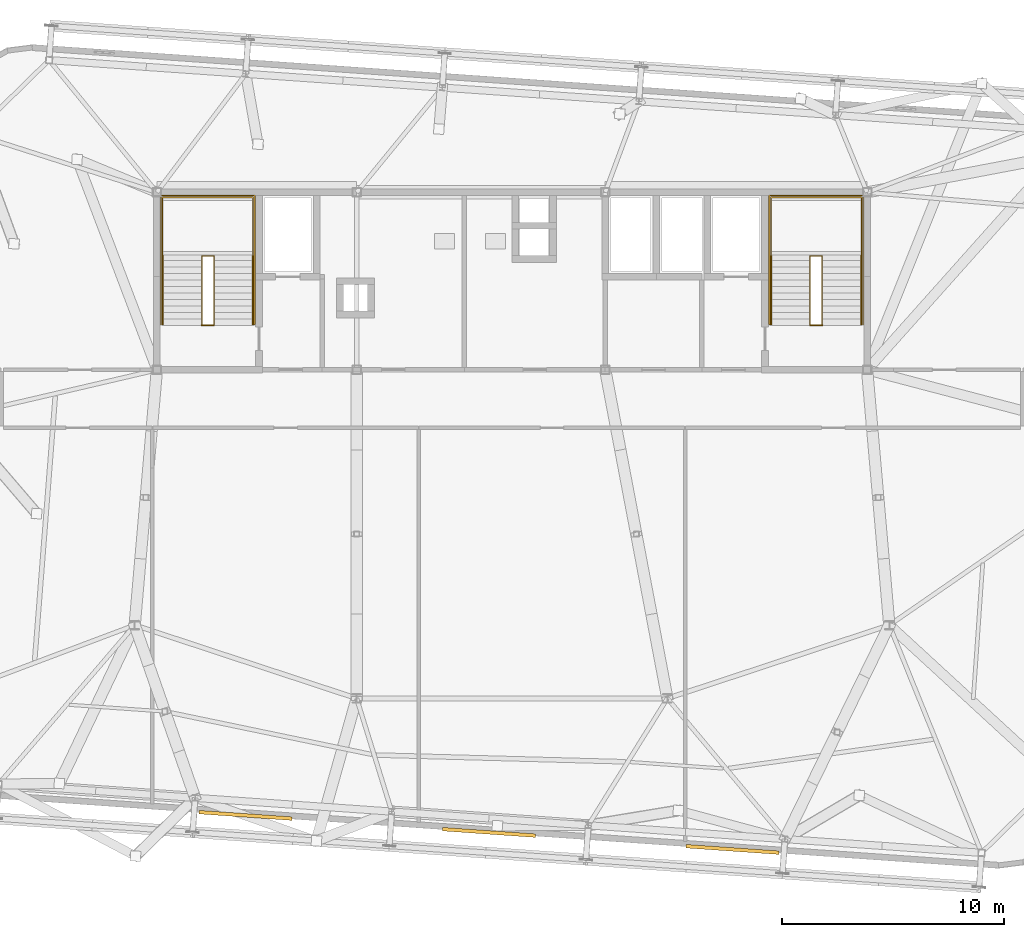
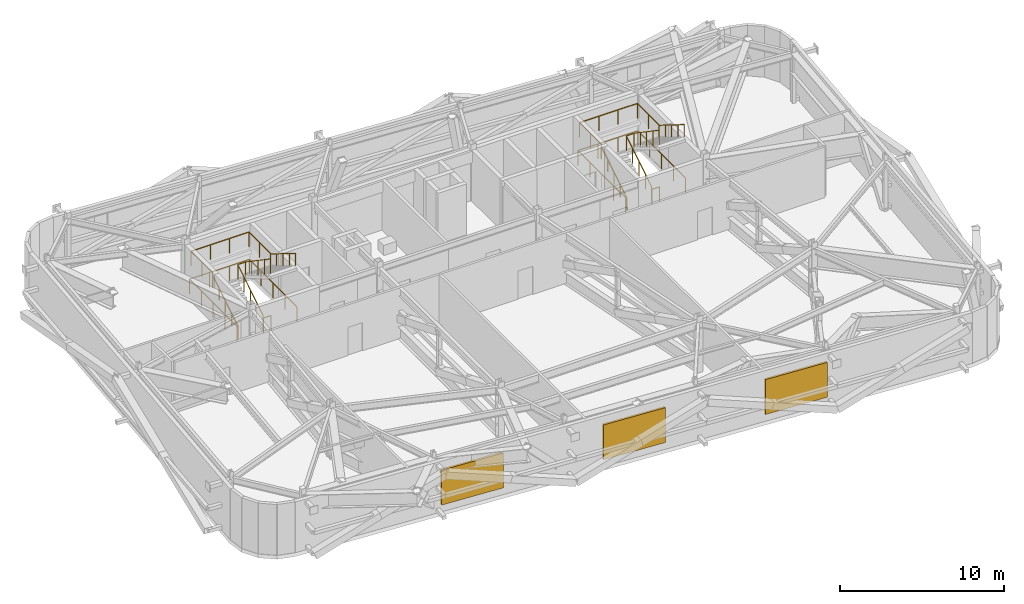
# One storey, part 24 of 24: 12 railings, 3 shading devices.
"""IFC4 building model written with IfcOpenShell, lengths in metres."""

from ifc_helpers import new_model, si_unit, direction, frame, origin, origin_2d, place, context, subcontext, project, spatial, rectangle, extrude, source, transform, mapped, material, layer, layer_set, type_object, element, save


model = new_model("IFC4")

# Units and contexts
model_context = context("Model", 3, precision=1e-05, world=origin(), true_north=direction((0.0, 1.0)))
body_context = subcontext(model_context, "Body", "Model", "MODEL_VIEW")
ifc_project = project(units=[si_unit("LENGTHUNIT", "METRE"), si_unit("AREAUNIT", "SQUARE_METRE"), si_unit("VOLUMEUNIT", "CUBIC_METRE"), si_unit("PLANEANGLEUNIT", "RADIAN"), si_unit("MASSUNIT", "GRAM", prefix="KILO")], contexts=[model_context])

# Site, building, storey
site_placement = place(None, origin())
site = spatial("IfcSite", under=ifc_project, at=site_placement, CompositionType="ELEMENT")
building_placement = place(site_placement, origin())
building = spatial("IfcBuilding", under=site, at=building_placement, Name="Taldren Reach Tower", CompositionType="ELEMENT")
storey_placement = place(building_placement, frame((0.0, 0.0, 164.5)))
storey = spatial("IfcBuildingStorey", under=building, at=storey_placement, Name="L50", CompositionType="ELEMENT", Elevation=164.5)

# Railings
ifc_material_1 = material(Name="Steel Gr 350 (C350L0)", Category="steel")
ifc_layer_1 = layer(ifc_material_1, 0.050048828125)
ifc_layer_set_1 = layer_set([ifc_layer_1], Name="Steel Gr 350 (C350L0)")
railing_type_1 = type_object("IfcRailingType", Name="RL-STAIR-GR", PredefinedType="GUARDRAIL", material=ifc_layer_set_1)
railing_1_placement = place(storey_placement, frame((19.260009765625, 29.135009765625, 2.10009765625)))
element("IfcRailing", 1, at=railing_1_placement, inside=storey, type_object=railing_type_1, Name="Stair half-landing perimeter guard ST1-L50", PredefinedType="GUARDRAIL", context=body_context, shape_type="SweptSolid", body=[
    extrude(rectangle(XDim=0.047852, YDim=0.047852, at=origin_2d()), frame((0.0, 0.0, 1.09619140625), z_axis=(0.0, 1.0, 0.0), x_axis=(-1.0, 0.0, 0.0)), (0.0, 0.0, 1.0), 2.64501953125),
    extrude(rectangle(XDim=0.047852, YDim=0.047852, at=origin_2d()), frame((0.0, 2.64501953125, 1.09619140625), z_axis=(1.0, 0.0, 0.0), x_axis=(0.0, 1.0, 0.0)), (0.0, 0.0, 1.0), 4.080078125),
    extrude(rectangle(XDim=0.047852, YDim=0.047852, at=origin_2d()), frame((4.080078125, 2.64501953125, 1.09619140625), z_axis=(0.0, -1.0, 0.0), x_axis=(1.0, 0.0, 0.0)), (0.0, 0.0, 1.0), 2.64501953125),
    extrude(rectangle(XDim=0.041992, YDim=0.041992, at=origin_2d()), origin(), (0.0, 0.0, 1.0), 1.072021484375),
    extrude(rectangle(XDim=0.041992, YDim=0.041992, at=origin_2d()), frame((0.0, 1.322509765625, 0.0)), (0.0, 0.0, 1.0), 1.072021484375),
    extrude(rectangle(XDim=0.041992, YDim=0.041992, at=origin_2d()), frame((0.0, 2.64501953125, 0.0)), (0.0, 0.0, 1.0), 1.072021484375),
    extrude(rectangle(XDim=0.041992, YDim=0.041992, at=origin_2d()), frame((1.360107421875, 2.64501953125, 0.0)), (0.0, 0.0, 1.0), 1.072021484375),
    extrude(rectangle(XDim=0.041992, YDim=0.041992, at=origin_2d()), frame((2.719970703125, 2.64501953125, 0.0)), (0.0, 0.0, 1.0), 1.072021484375),
    extrude(rectangle(XDim=0.041992, YDim=0.041992, at=origin_2d()), frame((4.080078125, 2.64501953125, 0.0)), (0.0, 0.0, 1.0), 1.072021484375),
    extrude(rectangle(XDim=0.041992, YDim=0.041992, at=origin_2d()), frame((4.080078125, 1.322509765625, 0.0)), (0.0, 0.0, 1.0), 1.072021484375),
    extrude(rectangle(XDim=0.041992, YDim=0.041992, at=origin_2d()), frame((4.080078125, 0.0, 0.0)), (0.0, 0.0, 1.0), 1.072021484375),
])
railing_2_placement = place(storey_placement, frame((21.030029296875, 26.050048828125, 0.175048828125)))
element("IfcRailing", 2, at=railing_2_placement, inside=storey, type_object=railing_type_1, Name="Stairwell inner guard ST1-L50", PredefinedType="GUARDRAIL", context=body_context, shape_type="SweptSolid", body=[
    extrude(rectangle(XDim=0.047852, YDim=0.047852, at=origin_2d()), frame((0.0, 0.0, 1.09619140625), z_axis=(0.0, 0.848375277705, 0.529395304266), x_axis=(-1.0, 0.0, 0.0)), (0.0, 0.0, 1.0), 3.63623046875),
    extrude(rectangle(XDim=0.047852, YDim=0.047852, at=origin_2d()), frame((0.0, 3.0849609375, 3.02099609375), z_axis=(1.0, 0.0, 0.0), x_axis=(0.0, 1.0, 0.0)), (0.0, 0.0, 1.0), 0.5400390625),
    extrude(rectangle(XDim=0.047852, YDim=0.047852, at=origin_2d()), frame((0.5400390625, 3.0849609375, 3.02099609375), z_axis=(0.0, -0.826667233066, 0.562691110446), x_axis=(1.0, 0.0, 0.0)), (0.0, 0.0, 1.0), 3.731689453125),
    extrude(rectangle(XDim=0.041992, YDim=0.041992, at=origin_2d()), origin(), (0.0, 0.0, 1.0), 1.072021484375),
    extrude(rectangle(XDim=0.041992, YDim=0.041992, at=origin_2d()), frame((0.0, 0.771240234375, 0.481201171875)), (0.0, 0.0, 1.0), 1.072021484375),
    extrude(rectangle(XDim=0.041992, YDim=0.041992, at=origin_2d()), frame((0.0, 1.54248046875, 0.96240234375)), (0.0, 0.0, 1.0), 1.072021484375),
    extrude(rectangle(XDim=0.041992, YDim=0.041992, at=origin_2d()), frame((0.0, 2.313720703125, 1.44384765625)), (0.0, 0.0, 1.0), 1.072021484375),
    extrude(rectangle(XDim=0.041992, YDim=0.041992, at=origin_2d()), frame((0.0, 3.0849609375, 1.925048828125)), (0.0, 0.0, 1.0), 1.072021484375),
    extrude(rectangle(XDim=0.041992, YDim=0.041992, at=origin_2d()), frame((0.5400390625, 3.0849609375, 1.925048828125)), (0.0, 0.0, 1.0), 1.072021484375),
    extrude(rectangle(XDim=0.041992, YDim=0.041992, at=origin_2d()), frame((0.5400390625, 2.313720703125, 2.449951171875)), (0.0, 0.0, 1.0), 1.072021484375),
    extrude(rectangle(XDim=0.041992, YDim=0.041992, at=origin_2d()), frame((0.5400390625, 1.54248046875, 2.97509765625)), (0.0, 0.0, 1.0), 1.072021484375),
    extrude(rectangle(XDim=0.041992, YDim=0.041992, at=origin_2d()), frame((0.5400390625, 0.771240234375, 3.5)), (0.0, 0.0, 1.0), 1.072021484375),
    extrude(rectangle(XDim=0.041992, YDim=0.041992, at=origin_2d()), frame((0.5400390625, 0.0, 4.02490234375)), (0.0, 0.0, 1.0), 1.072021484375),
])
railing_3_placement = place(storey_placement, frame((21.030029296875, 26.010009765625, 0.0)))
element("IfcRailing", 3, at=railing_3_placement, inside=storey, type_object=railing_type_1, Name="Stairwell landing slot guard ST1-L50", PredefinedType="GUARDRAIL", context=body_context, shape_type="SweptSolid", body=[
    extrude(rectangle(XDim=0.047852, YDim=0.047852, at=origin_2d()), frame((0.0, 0.0, 1.09619140625), z_axis=(1.0, 0.0, 0.0), x_axis=(0.0, 1.0, 0.0)), (0.0, 0.0, 1.0), 0.5400390625),
    extrude(rectangle(XDim=0.041992, YDim=0.041992, at=origin_2d()), origin(), (0.0, 0.0, 1.0), 1.072021484375),
    extrude(rectangle(XDim=0.041992, YDim=0.041992, at=origin_2d()), frame((0.5400390625, 0.0, 0.0)), (0.0, 0.0, 1.0), 1.072021484375),
])
railing_4_placement = place(storey_placement, frame((19.18994140625, 26.050048828125, 0.0)))
element("IfcRailing", 4, at=railing_4_placement, inside=storey, type_object=railing_type_1, Name="Stairwell floor opening guard ST1-L50", PredefinedType="GUARDRAIL", context=body_context, shape_type="SweptSolid", body=[
    extrude(rectangle(XDim=0.047852, YDim=0.047852, at=origin_2d()), frame((0.0, 0.0, 1.09619140625), z_axis=(0.0, 1.0, 0.0), x_axis=(-1.0, 0.0, 0.0)), (0.0, 0.0, 1.0), 5.800048828125),
    extrude(rectangle(XDim=0.047852, YDim=0.047852, at=origin_2d()), frame((0.0, 5.800048828125, 1.09619140625), z_axis=(1.0, 0.0, 0.0), x_axis=(0.0, 1.0, 0.0)), (0.0, 0.0, 1.0), 4.219970703125),
    extrude(rectangle(XDim=0.047852, YDim=0.047852, at=origin_2d()), frame((4.219970703125, 5.800048828125, 1.09619140625), z_axis=(0.0, -1.0, 0.0), x_axis=(1.0, 0.0, 0.0)), (0.0, 0.0, 1.0), 5.800048828125),
    extrude(rectangle(XDim=0.041992, YDim=0.041992, at=origin_2d()), origin(), (0.0, 0.0, 1.0), 1.072021484375),
    extrude(rectangle(XDim=0.041992, YDim=0.041992, at=origin_2d()), frame((0.0, 1.449951171875, 0.0)), (0.0, 0.0, 1.0), 1.072021484375),
    extrude(rectangle(XDim=0.041992, YDim=0.041992, at=origin_2d()), frame((0.0, 2.89990234375, 0.0)), (0.0, 0.0, 1.0), 1.072021484375),
    extrude(rectangle(XDim=0.041992, YDim=0.041992, at=origin_2d()), frame((0.0, 4.35009765625, 0.0)), (0.0, 0.0, 1.0), 1.072021484375),
    extrude(rectangle(XDim=0.041992, YDim=0.041992, at=origin_2d()), frame((0.0, 5.800048828125, 0.0)), (0.0, 0.0, 1.0), 1.072021484375),
    extrude(rectangle(XDim=0.041992, YDim=0.041992, at=origin_2d()), frame((1.40673828125, 5.800048828125, 0.0)), (0.0, 0.0, 1.0), 1.072021484375),
    extrude(rectangle(XDim=0.041992, YDim=0.041992, at=origin_2d()), frame((2.813232421875, 5.800048828125, 0.0)), (0.0, 0.0, 1.0), 1.072021484375),
    extrude(rectangle(XDim=0.041992, YDim=0.041992, at=origin_2d()), frame((4.219970703125, 5.800048828125, 0.0)), (0.0, 0.0, 1.0), 1.072021484375),
    extrude(rectangle(XDim=0.041992, YDim=0.041992, at=origin_2d()), frame((4.219970703125, 4.35009765625, 0.0)), (0.0, 0.0, 1.0), 1.072021484375),
    extrude(rectangle(XDim=0.041992, YDim=0.041992, at=origin_2d()), frame((4.219970703125, 2.89990234375, 0.0)), (0.0, 0.0, 1.0), 1.072021484375),
    extrude(rectangle(XDim=0.041992, YDim=0.041992, at=origin_2d()), frame((4.219970703125, 1.449951171875, 0.0)), (0.0, 0.0, 1.0), 1.072021484375),
    extrude(rectangle(XDim=0.041992, YDim=0.041992, at=origin_2d()), frame((4.219970703125, 0.0, 0.0)), (0.0, 0.0, 1.0), 1.072021484375),
])
railing_5_placement = place(storey_placement, frame((46.659912109375, 29.135009765625, 2.10009765625)))
element("IfcRailing", 5, at=railing_5_placement, inside=storey, type_object=railing_type_1, Name="Stair half-landing perimeter guard ST2-L50", PredefinedType="GUARDRAIL", context=body_context, shape_type="SweptSolid", body=[
    extrude(rectangle(XDim=0.047852, YDim=0.047852, at=origin_2d()), frame((0.0, 0.0, 1.09619140625), z_axis=(0.0, 1.0, 0.0), x_axis=(-1.0, 0.0, 0.0)), (0.0, 0.0, 1.0), 2.64501953125),
    extrude(rectangle(XDim=0.047852, YDim=0.047852, at=origin_2d()), frame((0.0, 2.64501953125, 1.09619140625), z_axis=(1.0, 0.0, 0.0), x_axis=(0.0, 1.0, 0.0)), (0.0, 0.0, 1.0), 4.080078125),
    extrude(rectangle(XDim=0.047852, YDim=0.047852, at=origin_2d()), frame((4.080078125, 2.64501953125, 1.09619140625), z_axis=(0.0, -1.0, 0.0), x_axis=(1.0, 0.0, 0.0)), (0.0, 0.0, 1.0), 2.64501953125),
    extrude(rectangle(XDim=0.041992, YDim=0.041992, at=origin_2d()), origin(), (0.0, 0.0, 1.0), 1.072021484375),
    extrude(rectangle(XDim=0.041992, YDim=0.041992, at=origin_2d()), frame((0.0, 1.322509765625, 0.0)), (0.0, 0.0, 1.0), 1.072021484375),
    extrude(rectangle(XDim=0.041992, YDim=0.041992, at=origin_2d()), frame((0.0, 2.64501953125, 0.0)), (0.0, 0.0, 1.0), 1.072021484375),
    extrude(rectangle(XDim=0.041992, YDim=0.041992, at=origin_2d()), frame((1.360107421875, 2.64501953125, 0.0)), (0.0, 0.0, 1.0), 1.072021484375),
    extrude(rectangle(XDim=0.041992, YDim=0.041992, at=origin_2d()), frame((2.719970703125, 2.64501953125, 0.0)), (0.0, 0.0, 1.0), 1.072021484375),
    extrude(rectangle(XDim=0.041992, YDim=0.041992, at=origin_2d()), frame((4.080078125, 2.64501953125, 0.0)), (0.0, 0.0, 1.0), 1.072021484375),
    extrude(rectangle(XDim=0.041992, YDim=0.041992, at=origin_2d()), frame((4.080078125, 1.322509765625, 0.0)), (0.0, 0.0, 1.0), 1.072021484375),
    extrude(rectangle(XDim=0.041992, YDim=0.041992, at=origin_2d()), frame((4.080078125, 0.0, 0.0)), (0.0, 0.0, 1.0), 1.072021484375),
])
railing_6_placement = place(storey_placement, frame((48.429931640625, 26.050048828125, 0.175048828125)))
element("IfcRailing", 6, at=railing_6_placement, inside=storey, type_object=railing_type_1, Name="Stairwell inner guard ST2-L50", PredefinedType="GUARDRAIL", context=body_context, shape_type="SweptSolid", body=[
    extrude(rectangle(XDim=0.047852, YDim=0.047852, at=origin_2d()), frame((0.0, 0.0, 1.09619140625), z_axis=(0.0, 0.848375277705, 0.529395304266), x_axis=(-1.0, 0.0, 0.0)), (0.0, 0.0, 1.0), 3.63623046875),
    extrude(rectangle(XDim=0.047852, YDim=0.047852, at=origin_2d()), frame((0.0, 3.0849609375, 3.02099609375), z_axis=(1.0, 0.0, 0.0), x_axis=(0.0, 1.0, 0.0)), (0.0, 0.0, 1.0), 0.5400390625),
    extrude(rectangle(XDim=0.047852, YDim=0.047852, at=origin_2d()), frame((0.5400390625, 3.0849609375, 3.02099609375), z_axis=(0.0, -0.826667233066, 0.562691110446), x_axis=(1.0, 0.0, 0.0)), (0.0, 0.0, 1.0), 3.731689453125),
    extrude(rectangle(XDim=0.041992, YDim=0.041992, at=origin_2d()), origin(), (0.0, 0.0, 1.0), 1.072021484375),
    extrude(rectangle(XDim=0.041992, YDim=0.041992, at=origin_2d()), frame((0.0, 0.771240234375, 0.481201171875)), (0.0, 0.0, 1.0), 1.072021484375),
    extrude(rectangle(XDim=0.041992, YDim=0.041992, at=origin_2d()), frame((0.0, 1.54248046875, 0.96240234375)), (0.0, 0.0, 1.0), 1.072021484375),
    extrude(rectangle(XDim=0.041992, YDim=0.041992, at=origin_2d()), frame((0.0, 2.313720703125, 1.44384765625)), (0.0, 0.0, 1.0), 1.072021484375),
    extrude(rectangle(XDim=0.041992, YDim=0.041992, at=origin_2d()), frame((0.0, 3.0849609375, 1.925048828125)), (0.0, 0.0, 1.0), 1.072021484375),
    extrude(rectangle(XDim=0.041992, YDim=0.041992, at=origin_2d()), frame((0.5400390625, 3.0849609375, 1.925048828125)), (0.0, 0.0, 1.0), 1.072021484375),
    extrude(rectangle(XDim=0.041992, YDim=0.041992, at=origin_2d()), frame((0.5400390625, 2.313720703125, 2.449951171875)), (0.0, 0.0, 1.0), 1.072021484375),
    extrude(rectangle(XDim=0.041992, YDim=0.041992, at=origin_2d()), frame((0.5400390625, 1.54248046875, 2.97509765625)), (0.0, 0.0, 1.0), 1.072021484375),
    extrude(rectangle(XDim=0.041992, YDim=0.041992, at=origin_2d()), frame((0.5400390625, 0.771240234375, 3.5)), (0.0, 0.0, 1.0), 1.072021484375),
    extrude(rectangle(XDim=0.041992, YDim=0.041992, at=origin_2d()), frame((0.5400390625, 0.0, 4.02490234375)), (0.0, 0.0, 1.0), 1.072021484375),
])
railing_7_placement = place(storey_placement, frame((48.429931640625, 26.010009765625, 0.0)))
element("IfcRailing", 7, at=railing_7_placement, inside=storey, type_object=railing_type_1, Name="Stairwell landing slot guard ST2-L50", PredefinedType="GUARDRAIL", context=body_context, shape_type="SweptSolid", body=[
    extrude(rectangle(XDim=0.047852, YDim=0.047852, at=origin_2d()), frame((0.0, 0.0, 1.09619140625), z_axis=(1.0, 0.0, 0.0), x_axis=(0.0, 1.0, 0.0)), (0.0, 0.0, 1.0), 0.5400390625),
    extrude(rectangle(XDim=0.041992, YDim=0.041992, at=origin_2d()), origin(), (0.0, 0.0, 1.0), 1.072021484375),
    extrude(rectangle(XDim=0.041992, YDim=0.041992, at=origin_2d()), frame((0.5400390625, 0.0, 0.0)), (0.0, 0.0, 1.0), 1.072021484375),
])
railing_8_placement = place(storey_placement, frame((46.590087890625, 26.050048828125, 0.0)))
element("IfcRailing", 8, at=railing_8_placement, inside=storey, type_object=railing_type_1, Name="Stairwell floor opening guard ST2-L50", PredefinedType="GUARDRAIL", context=body_context, shape_type="SweptSolid", body=[
    extrude(rectangle(XDim=0.047852, YDim=0.047852, at=origin_2d()), frame((0.0, 0.0, 1.09619140625), z_axis=(0.0, 1.0, 0.0), x_axis=(-1.0, 0.0, 0.0)), (0.0, 0.0, 1.0), 5.800048828125),
    extrude(rectangle(XDim=0.047852, YDim=0.047852, at=origin_2d()), frame((0.0, 5.800048828125, 1.09619140625), z_axis=(1.0, 0.0, 0.0), x_axis=(0.0, 1.0, 0.0)), (0.0, 0.0, 1.0), 4.219970703125),
    extrude(rectangle(XDim=0.047852, YDim=0.047852, at=origin_2d()), frame((4.219970703125, 5.800048828125, 1.09619140625), z_axis=(0.0, -1.0, 0.0), x_axis=(1.0, 0.0, 0.0)), (0.0, 0.0, 1.0), 5.800048828125),
    extrude(rectangle(XDim=0.041992, YDim=0.041992, at=origin_2d()), origin(), (0.0, 0.0, 1.0), 1.072021484375),
    extrude(rectangle(XDim=0.041992, YDim=0.041992, at=origin_2d()), frame((0.0, 1.449951171875, 0.0)), (0.0, 0.0, 1.0), 1.072021484375),
    extrude(rectangle(XDim=0.041992, YDim=0.041992, at=origin_2d()), frame((0.0, 2.89990234375, 0.0)), (0.0, 0.0, 1.0), 1.072021484375),
    extrude(rectangle(XDim=0.041992, YDim=0.041992, at=origin_2d()), frame((0.0, 4.35009765625, 0.0)), (0.0, 0.0, 1.0), 1.072021484375),
    extrude(rectangle(XDim=0.041992, YDim=0.041992, at=origin_2d()), frame((0.0, 5.800048828125, 0.0)), (0.0, 0.0, 1.0), 1.072021484375),
    extrude(rectangle(XDim=0.041992, YDim=0.041992, at=origin_2d()), frame((1.40673828125, 5.800048828125, 0.0)), (0.0, 0.0, 1.0), 1.072021484375),
    extrude(rectangle(XDim=0.041992, YDim=0.041992, at=origin_2d()), frame((2.813232421875, 5.800048828125, 0.0)), (0.0, 0.0, 1.0), 1.072021484375),
    extrude(rectangle(XDim=0.041992, YDim=0.041992, at=origin_2d()), frame((4.219970703125, 5.800048828125, 0.0)), (0.0, 0.0, 1.0), 1.072021484375),
    extrude(rectangle(XDim=0.041992, YDim=0.041992, at=origin_2d()), frame((4.219970703125, 4.35009765625, 0.0)), (0.0, 0.0, 1.0), 1.072021484375),
    extrude(rectangle(XDim=0.041992, YDim=0.041992, at=origin_2d()), frame((4.219970703125, 2.89990234375, 0.0)), (0.0, 0.0, 1.0), 1.072021484375),
    extrude(rectangle(XDim=0.041992, YDim=0.041992, at=origin_2d()), frame((4.219970703125, 1.449951171875, 0.0)), (0.0, 0.0, 1.0), 1.072021484375),
    extrude(rectangle(XDim=0.041992, YDim=0.041992, at=origin_2d()), frame((4.219970703125, 0.0, 0.0)), (0.0, 0.0, 1.0), 1.072021484375),
])
ifc_material_2 = material(Name="Stainless Steel Gr 316", Category="steel")
ifc_layer_2 = layer(ifc_material_2, 0.048095703125)
ifc_layer_set_2 = layer_set([ifc_layer_2], Name="Stainless Steel Gr 316")
railing_type_2 = type_object("IfcRailingType", Name="RL-STAIR-HR", PredefinedType="HANDRAIL", material=ifc_layer_set_2)
railing_9_placement = place(storey_placement, frame((19.27001953125, 26.050048828125, 0.175048828125)))
element("IfcRailing", 9, at=railing_9_placement, inside=storey, type_object=railing_type_2, Name="Stair flight handrail ST1-L50-1", PredefinedType="HANDRAIL", context=body_context, shape_type="SweptSolid", body=[
    extrude(rectangle(XDim=0.047852, YDim=0.047852, at=origin_2d()), frame((0.0, 0.0, 0.89599609375), z_axis=(0.0, 0.848375277705, 0.529395304266), x_axis=(-1.0, 0.0, 0.0)), (0.0, 0.0, 1.0), 3.63623046875),
    extrude(rectangle(XDim=0.041992, YDim=0.041992, at=origin_2d()), origin(), (0.0, 0.0, 1.0), 0.871826171875),
    extrude(rectangle(XDim=0.041992, YDim=0.041992, at=origin_2d()), frame((0.0, 0.771240234375, 0.481201171875)), (0.0, 0.0, 1.0), 0.871826171875),
    extrude(rectangle(XDim=0.041992, YDim=0.041992, at=origin_2d()), frame((0.0, 1.54248046875, 0.96240234375)), (0.0, 0.0, 1.0), 0.871826171875),
    extrude(rectangle(XDim=0.041992, YDim=0.041992, at=origin_2d()), frame((0.0, 2.313720703125, 1.44384765625)), (0.0, 0.0, 1.0), 0.871826171875),
    extrude(rectangle(XDim=0.041992, YDim=0.041992, at=origin_2d()), frame((0.0, 3.0849609375, 1.925048828125)), (0.0, 0.0, 1.0), 0.871826171875),
])
railing_10_placement = place(storey_placement, frame((23.330078125, 29.135009765625, 2.27490234375)))
element("IfcRailing", 10, at=railing_10_placement, inside=storey, type_object=railing_type_2, Name="Stair flight handrail ST1-L50-2", PredefinedType="HANDRAIL", context=body_context, shape_type="SweptSolid", body=[
    extrude(rectangle(XDim=0.047852, YDim=0.047852, at=origin_2d()), frame((0.0, 0.0, 0.89599609375), z_axis=(0.0, -0.848375277705, 0.529395304266), x_axis=(1.0, 0.0, 0.0)), (0.0, 0.0, 1.0), 3.63623046875),
    extrude(rectangle(XDim=0.041992, YDim=0.041992, at=origin_2d()), origin(), (0.0, 0.0, 1.0), 0.871826171875),
    extrude(rectangle(XDim=0.041992, YDim=0.041992, at=origin_2d()), frame((0.0, -0.771240234375, 0.481201171875)), (0.0, 0.0, 1.0), 0.871826171875),
    extrude(rectangle(XDim=0.041992, YDim=0.041992, at=origin_2d()), frame((0.0, -1.54248046875, 0.96240234375)), (0.0, 0.0, 1.0), 0.871826171875),
    extrude(rectangle(XDim=0.041992, YDim=0.041992, at=origin_2d()), frame((0.0, -2.313720703125, 1.44384765625)), (0.0, 0.0, 1.0), 0.871826171875),
    extrude(rectangle(XDim=0.041992, YDim=0.041992, at=origin_2d()), frame((0.0, -3.0849609375, 1.925048828125)), (0.0, 0.0, 1.0), 0.871826171875),
])
railing_11_placement = place(storey_placement, frame((46.669921875, 26.050048828125, 0.175048828125)))
element("IfcRailing", 11, at=railing_11_placement, inside=storey, type_object=railing_type_2, Name="Stair flight handrail ST2-L50-1", PredefinedType="HANDRAIL", context=body_context, shape_type="SweptSolid", body=[
    extrude(rectangle(XDim=0.047852, YDim=0.047852, at=origin_2d()), frame((0.0, 0.0, 0.89599609375), z_axis=(0.0, 0.848375277705, 0.529395304266), x_axis=(-1.0, 0.0, 0.0)), (0.0, 0.0, 1.0), 3.63623046875),
    extrude(rectangle(XDim=0.041992, YDim=0.041992, at=origin_2d()), origin(), (0.0, 0.0, 1.0), 0.871826171875),
    extrude(rectangle(XDim=0.041992, YDim=0.041992, at=origin_2d()), frame((0.0, 0.771240234375, 0.481201171875)), (0.0, 0.0, 1.0), 0.871826171875),
    extrude(rectangle(XDim=0.041992, YDim=0.041992, at=origin_2d()), frame((0.0, 1.54248046875, 0.96240234375)), (0.0, 0.0, 1.0), 0.871826171875),
    extrude(rectangle(XDim=0.041992, YDim=0.041992, at=origin_2d()), frame((0.0, 2.313720703125, 1.44384765625)), (0.0, 0.0, 1.0), 0.871826171875),
    extrude(rectangle(XDim=0.041992, YDim=0.041992, at=origin_2d()), frame((0.0, 3.0849609375, 1.925048828125)), (0.0, 0.0, 1.0), 0.871826171875),
])
railing_12_placement = place(storey_placement, frame((50.72998046875, 29.135009765625, 2.27490234375)))
element("IfcRailing", 12, at=railing_12_placement, inside=storey, type_object=railing_type_2, Name="Stair flight handrail ST2-L50-2", PredefinedType="HANDRAIL", context=body_context, shape_type="SweptSolid", body=[
    extrude(rectangle(XDim=0.047852, YDim=0.047852, at=origin_2d()), frame((0.0, 0.0, 0.89599609375), z_axis=(0.0, -0.848375277705, 0.529395304266), x_axis=(1.0, 0.0, 0.0)), (0.0, 0.0, 1.0), 3.63623046875),
    extrude(rectangle(XDim=0.041992, YDim=0.041992, at=origin_2d()), origin(), (0.0, 0.0, 1.0), 0.871826171875),
    extrude(rectangle(XDim=0.041992, YDim=0.041992, at=origin_2d()), frame((0.0, -0.771240234375, 0.481201171875)), (0.0, 0.0, 1.0), 0.871826171875),
    extrude(rectangle(XDim=0.041992, YDim=0.041992, at=origin_2d()), frame((0.0, -1.54248046875, 0.96240234375)), (0.0, 0.0, 1.0), 0.871826171875),
    extrude(rectangle(XDim=0.041992, YDim=0.041992, at=origin_2d()), frame((0.0, -2.313720703125, 1.44384765625)), (0.0, 0.0, 1.0), 0.871826171875),
    extrude(rectangle(XDim=0.041992, YDim=0.041992, at=origin_2d()), frame((0.0, -3.0849609375, 1.925048828125)), (0.0, 0.0, 1.0), 0.871826171875),
])

# Shading devices
ifc_material_3 = material(Name="Pale-Anodised Stormproof Aluminium Acoustic Louvre", Category="aluminium")
ifc_layer_3 = layer(ifc_material_3, 0.159912109375)
ifc_layer_set_3 = layer_set([ifc_layer_3], Name="Pale-Anodised Stormproof Aluminium Acoustic Louvre")
shading_device_type = type_object("IfcShadingDeviceType", Name="LV-PLANT-270", PredefinedType="SHUTTER", material=ifc_layer_set_3)
shared_shape = source(origin(), body_context, "Body", "SweptSolid", [
    extrude(rectangle(XDim=4.199951171875, YDim=0.159912109375, at=origin_2d()), origin(), (0.0, 0.0, 1.0), 2.60009765625),
])
for number, where, z_axis, x_axis, name in (
    (13, (22.992431640625, 3.9287109375, 0.550048828125), (0.0, 0.0, 1.0), (0.99756405026, -0.069756473744, 0.0), "Plant room acoustic weather louvre L50-1"),
    (14, (33.965576171875, 3.161376953125, 0.550048828125), (0.0, 0.0, 1.0), (0.99756405026, -0.069756473744, 0.0), "Plant room acoustic weather louvre L50-2"),
    (15, (44.938720703125, 2.39404296875, 0.550048828125), (0.0, 0.0, 1.0), (0.99756405026, -0.069756473744, 0.0), "Plant room acoustic weather louvre L50-3"),
):
    element("IfcShadingDevice", number, at=place(storey_placement, frame(where, z_axis=z_axis, x_axis=x_axis)), inside=storey, type_object=shading_device_type, Name=name, PredefinedType="SHUTTER", context=body_context, shape_type="MappedRepresentation", body=[
        mapped(shared_shape, transform((0.0, 0.0, 0.0), scale=1.0)),
    ])

save(model, "model.ifc")
